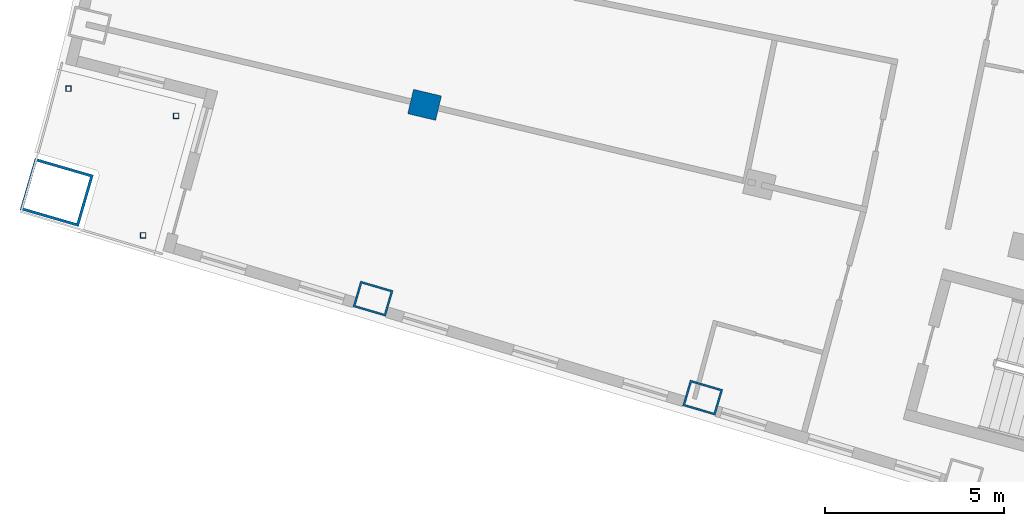
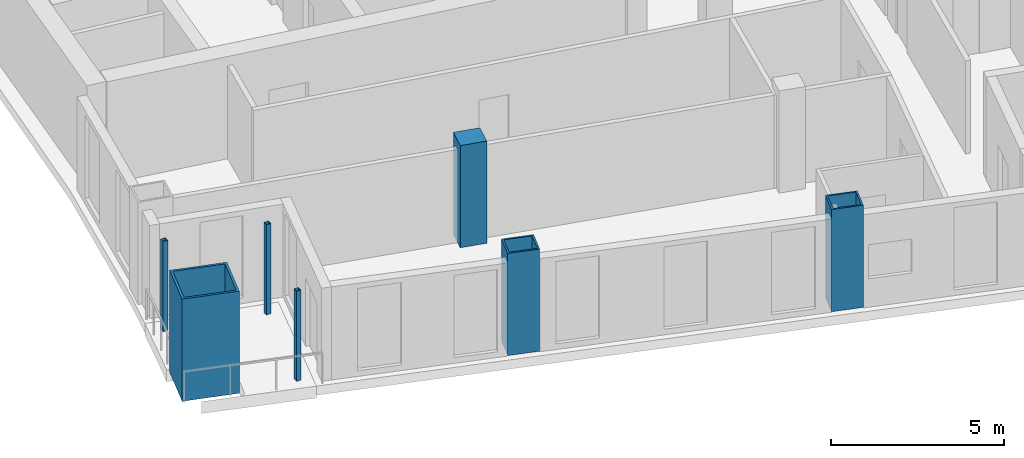
# One storey, part 1 of 19: 7 columns.
"""IFC4 building model written with IfcOpenShell, lengths in metres."""

from ifc_helpers import new_model, si_unit, direction, frame, origin, origin_2d, place, context, subcontext, project, spatial, rectangle, hollow_rectangle, extrude, material, material_profile, profile_set, type_object, element, save


model = new_model("IFC4")

# Units and contexts
model_context = context("Model", 3, precision=1e-05, world=origin(), true_north=direction((0.0, 1.0)))
body_context = subcontext(model_context, "Body", "Model", "MODEL_VIEW")
ifc_project = project(units=[si_unit("LENGTHUNIT", "METRE"), si_unit("AREAUNIT", "SQUARE_METRE"), si_unit("VOLUMEUNIT", "CUBIC_METRE"), si_unit("PLANEANGLEUNIT", "RADIAN"), si_unit("MASSUNIT", "GRAM", prefix="KILO")], contexts=[model_context])

# Site, building, storey
site_placement = place(None, origin())
site = spatial("IfcSite", under=ifc_project, at=site_placement, CompositionType="ELEMENT")
building_placement = place(site_placement, origin())
building = spatial("IfcBuilding", under=site, at=building_placement, Name="Alderwake Tower", CompositionType="ELEMENT")
storey_placement = place(building_placement, frame((0.0, 0.0, 192.800048828125)))
storey = spatial("IfcBuildingStorey", under=building, at=storey_placement, Name="L47", CompositionType="ELEMENT", Elevation=192.800048828125)

# Columns
ifc_material_1 = material(Name="Steel ASTM A572 Grade 50 concrete filled C70/85", Category="concrete")
ifc_material_profile_1 = material_profile(ifc_material_1, hollow_rectangle(XDim=0.75, YDim=0.949951171875, WallThickness=0.054931640625, at=origin_2d()), Name="BOX 950X750X55")
ifc_profile_set_1 = profile_set([ifc_material_profile_1], Name="Steel ASTM A572 Grade 50 concrete filled C70/85")
column_type_1 = type_object("IfcColumnType", Name="End column Z4", PredefinedType="COLUMN", material=ifc_profile_set_1)
for number, where, z_axis, x_axis, name in (
    (1, (21.885498046875, 31.03759765625, 0.0), (0.0, 0.0, 1.0), (0.282132160283, 0.95937554906, 0.0), "Column R02-C1"),
    (2, (31.080322265625, 28.27685546875, 0.0), (0.0, 0.0, 1.0), (0.282582549822, 0.959242984095, 0.0), "Column R02-C2"),
):
    element("IfcColumn", number, at=place(storey_placement, frame(where, z_axis=z_axis, x_axis=x_axis)), inside=storey, type_object=column_type_1, Name=name, PredefinedType="COLUMN", context=body_context, shape_type="SweptSolid", body=[
        extrude(hollow_rectangle(XDim=0.75, YDim=0.949951171875, WallThickness=0.054931640625, at=origin_2d()), origin(), (0.0, 0.0, 1.0), 3.599853515625),
    ])
ifc_material_2 = material(Name="Concrete C70/85", Category="concrete")
ifc_material_profile_2 = material_profile(ifc_material_2, rectangle(XDim=0.699951171875, YDim=0.800048828125, at=origin_2d()), Name="RC 800X700")
ifc_profile_set_2 = profile_set([ifc_material_profile_2], Name="Concrete C70/85")
column_type_2 = type_object("IfcColumnType", Name="Interior column Z4", PredefinedType="COLUMN", material=ifc_profile_set_2)
column_1_placement = place(storey_placement, frame((23.322021484375, 36.444091796875, 0.0), z_axis=(0.0, 0.0, 1.0), x_axis=(0.231221547198, 0.972901123502, 0.0)))
element("IfcColumn", 3, at=column_1_placement, inside=storey, type_object=column_type_2, Name="Column R03-C1", PredefinedType="COLUMN", context=body_context, shape_type="SweptSolid", body=[
    extrude(rectangle(XDim=0.699951171875, YDim=0.800048828125, at=origin_2d()), origin(), (0.0, 0.0, 1.0), 3.599853515625),
])
ifc_material_3 = material(Name="Steel ASTM A500 Grade C", Category="steel")
ifc_material_profile_3 = material_profile(ifc_material_3, hollow_rectangle(XDim=0.15234375, YDim=0.15234375, WallThickness=0.0087890625, at=origin_2d()), Name="HSS6X6X3/8")
ifc_profile_set_3 = profile_set([ifc_material_profile_3], Name="Steel ASTM A500 Grade C")
column_type_3 = type_object("IfcColumnType", Name="Light post HSS6X6X3/8", PredefinedType="COLUMN", material=ifc_profile_set_3)
for number, where, z_axis, x_axis, name in (
    (4, (13.3896484375, 36.896484375, 0.0), (0.0, 0.0, 1.0), (1.0, 0.0, 0.0), "Terrace post RS1"),
    (5, (15.47412109375, 32.805908203125, 0.0), (0.0, 0.0, 1.0), (1.0, 0.0, 0.0), "Terrace post RS2"),
    (6, (16.39501953125, 36.135986328125, 0.0), (0.0, 0.0, 1.0), (1.0, 0.0, 0.0), "Terrace post RS3"),
):
    element("IfcColumn", number, at=place(storey_placement, frame(where, z_axis=z_axis, x_axis=x_axis)), inside=storey, type_object=column_type_3, Name=name, PredefinedType="COLUMN", context=body_context, shape_type="SweptSolid", body=[
        extrude(hollow_rectangle(XDim=0.15234375, YDim=0.15234375, WallThickness=0.0087890625, at=origin_2d()), origin(), (0.0, 0.0, 1.0), 3.179931640625),
    ])
ifc_material_4 = material(Name="Steel ASTM A572 Grade 50 concrete filled C70/85", Category="concrete")
ifc_material_profile_4 = material_profile(ifc_material_4, hollow_rectangle(XDim=1.5, YDim=1.699951171875, WallThickness=0.074951171875, at=origin_2d()), Name="BOX 1700X1500X75")
ifc_profile_set_4 = profile_set([ifc_material_profile_4], Name="Steel ASTM A572 Grade 50 concrete filled C70/85")
column_type_4 = type_object("IfcColumnType", Name="Mega column Z4", PredefinedType="COLUMN", material=ifc_profile_set_4)
column_2_placement = place(storey_placement, frame((13.06298828125, 34.00244140625, 0.0), z_axis=(0.0, 0.0, 1.0), x_axis=(0.278612301868, 0.960403657452, 0.0)))
element("IfcColumn", 7, at=column_2_placement, inside=storey, type_object=column_type_4, Name="Column R02-C0", PredefinedType="COLUMN", context=body_context, shape_type="SweptSolid", body=[
    extrude(hollow_rectangle(XDim=1.5, YDim=1.699951171875, WallThickness=0.074951171875, at=origin_2d()), origin(), (0.0, 0.0, 1.0), 3.599853515625),
])

save(model, "model.ifc")
